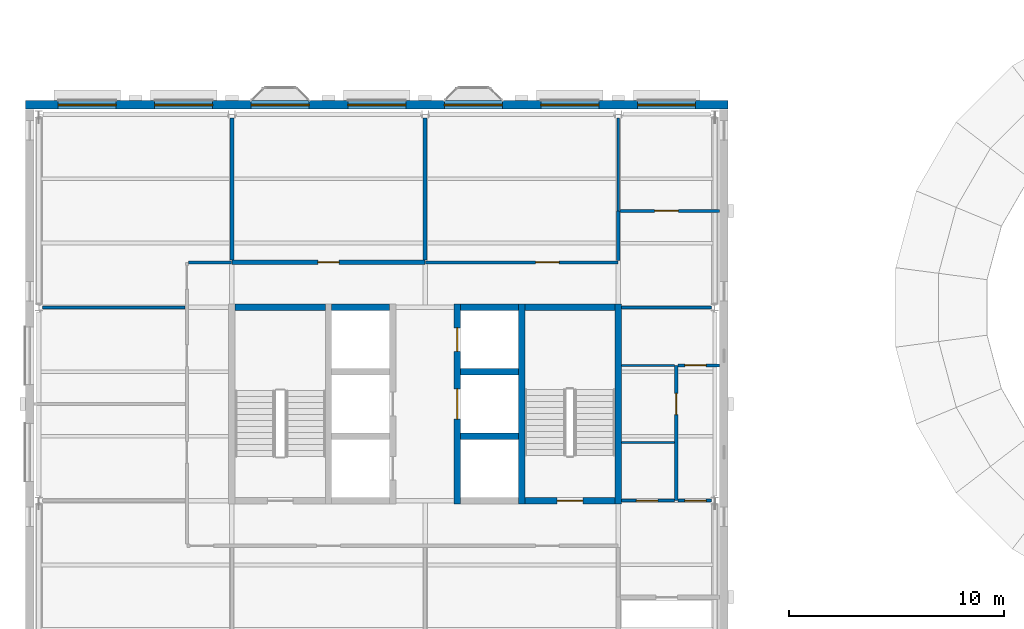
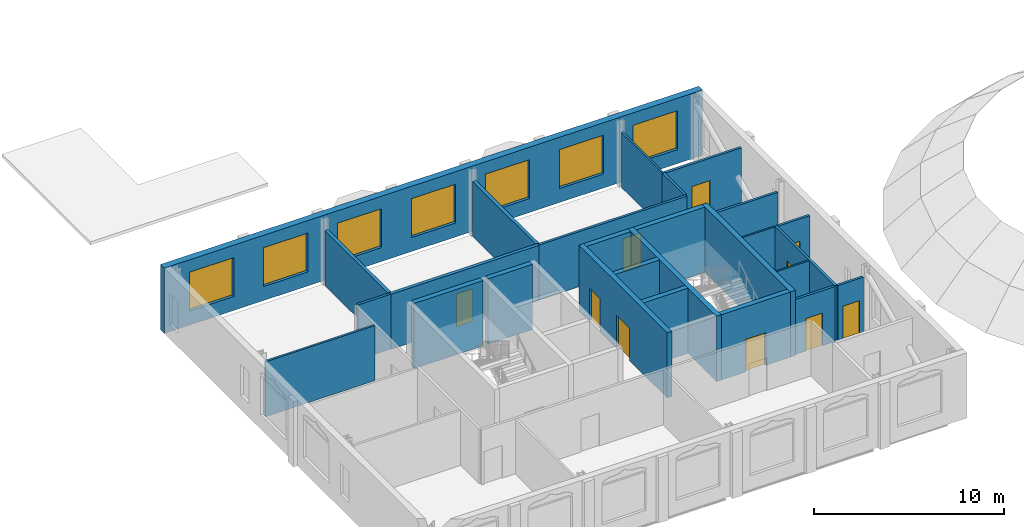
# One storey, part 9 of 15: 27 walls, 10 doors, 7 windows, 17 openings.
"""IFC4 building model written with IfcOpenShell, lengths in metres."""

from ifc_helpers import new_model, si_unit, direction, frame, frame_2d, origin, place, context, subcontext, project, spatial, rectangle, extrude, material, layer, layer_set, type_object, element, fill, save


model = new_model("IFC4")

# Units and contexts
model_context = context("Model", 3, precision=1e-05, world=origin(), true_north=direction((0.0, 1.0)))
body_context = subcontext(model_context, "Body", "Model", "MODEL_VIEW")
ifc_project = project(units=[si_unit("LENGTHUNIT", "METRE"), si_unit("AREAUNIT", "SQUARE_METRE"), si_unit("VOLUMEUNIT", "CUBIC_METRE"), si_unit("PLANEANGLEUNIT", "RADIAN"), si_unit("MASSUNIT", "GRAM", prefix="KILO")], contexts=[model_context])

# Site, building, storey
site_placement = place(None, origin())
site = spatial("IfcSite", under=ifc_project, at=site_placement, CompositionType="ELEMENT")
building_placement = place(site_placement, origin())
building = spatial("IfcBuilding", under=site, at=building_placement, Name="Hortulan Conservatory and Botanical Research Centre", CompositionType="ELEMENT")
storey_placement = place(building_placement, frame((0.0, 0.0, 23.39990234375)))
storey = spatial("IfcBuildingStorey", under=building, at=storey_placement, Name="L05", CompositionType="ELEMENT", Elevation=23.39990234375)

# Walls
ifc_material_1 = material(Name="Fire-rated plasterboard on steel studs", Category="steel")
ifc_layer_1 = layer(ifc_material_1, 0.199951171875)
ifc_layer_set_1 = layer_set([ifc_layer_1], Name="Compartment Partition 200")
wall_type_1 = type_object("IfcWallType", Name="Compartment Partition 200", PredefinedType="PARTITIONING", material=ifc_layer_set_1)
for number, where, z_axis, x_axis, name in (
    (1, (9.0, 20.2099609375, 0.0), (0.0, 0.0, 1.0), (0.0, 1.0, 0.0), "Store wall"),
    (2, (18.0, 20.2099609375, 0.0), (0.0, 0.0, 1.0), (0.0, 1.0, 0.0), "Store wall"),
):
    element("IfcWall", number, at=place(storey_placement, frame(where, z_axis=z_axis, x_axis=x_axis)), inside=storey, type_object=wall_type_1, Name=name, PredefinedType="PARTITIONING", context=body_context, shape_type="SweptSolid", body=[
        extrude(rectangle(XDim=6.616455078125, YDim=0.199951171875, at=frame_2d((3.30810546875, 0.0))), origin(), (0.0, 0.0, 1.0), 3.537109375),
    ])

# Wall, opening, door
wall_1_placement = place(storey_placement, frame((9.0, 20.10009765625, 0.0), z_axis=(0.0, 0.0, 1.0), x_axis=(1.0, 0.0, 0.0)))
wall_1 = element("IfcWall", 3, at=wall_1_placement, inside=storey, type_object=wall_type_1, Name="Store wall", PredefinedType="PARTITIONING", context=body_context, shape_type="SweptSolid", body=[
    extrude(rectangle(XDim=9.0, YDim=0.199951171875, at=frame_2d((4.5, 0.0))), origin(), (0.0, 0.0, 1.0), 3.537109375),
])
opening_1_placement = place(wall_1_placement, frame((4.0, 0.0, 0.0)))
opening_1 = element("IfcOpeningElement", 4, at=opening_1_placement, cuts=wall_1, Name="Opening DT6", PredefinedType="OPENING", context=body_context, shape_type="SweptSolid", body=[
    extrude(rectangle(XDim=1.0, YDim=2.10009765625, at=frame_2d((0.5, 1.050048828125))), frame((0.0, 0.10986328125, 0.0), z_axis=(0.0, -1.0, 0.0), x_axis=(1.0, 0.0, 0.0)), (0.0, 0.0, 1.0), 0.219970703125),
])
ifc_material_2 = material(Name="Steel door leaf, insulated", Category="steel")
door_type_1 = type_object("IfcDoorType", Name="Fire Door 1000x2100 FRL -/120/30", OperationType="NOTDEFINED", PredefinedType="DOOR", material=ifc_material_2)
door_1_placement = place(opening_1_placement, origin())
door_1 = element("IfcDoor", 5, at=door_1_placement, inside=storey, type_object=door_type_1, Name="Door DT6 Cryopreservation Laboratory", OperationType="SINGLE_SWING_LEFT", OverallHeight=2.10009765625, OverallWidth=1.0, PredefinedType="DOOR", context=body_context, shape_type="SweptSolid", body=[
    extrude(rectangle(XDim=1.0, YDim=2.10009765625, at=frame_2d((0.5, 1.050048828125))), frame((0.0, 0.02490234375, 0.0), z_axis=(0.0, -1.0, 0.0), x_axis=(1.0, 0.0, 0.0)), (0.0, 0.0, 1.0), 0.050048828125),
])
fill(opening_1, door_1)

# Wall, openings, doors
ifc_material_3 = material(Name="Concrete N50 (50 MPa, AS 3600)", Category="concrete")
ifc_layer_2 = layer(ifc_material_3, 0.300048828125)
ifc_layer_set_2 = layer_set([ifc_layer_2], Name="Core Wall 300 N50 FRL 240/120/120")
wall_type_2 = type_object("IfcWallType", Name="Core Wall 300 N50 FRL 240/120/120", PredefinedType="SHEAR", material=ifc_layer_set_2)
wall_2_placement = place(storey_placement, frame((19.5, 8.85009765625, 0.0), z_axis=(0.0, 0.0, 1.0), x_axis=(0.0, 1.0, 0.0)))
wall_2 = element("IfcWall", 6, at=wall_2_placement, inside=storey, type_object=wall_type_2, Name="Reinforced concrete shaft wall", PredefinedType="SHEAR", context=body_context, shape_type="SweptSolid", body=[
    extrude(rectangle(XDim=9.2998046875, YDim=0.300048828125, at=frame_2d((4.64990234375, 0.0))), origin(), (0.0, 0.0, 1.0), 4.2001953125),
])
opening_2_placement = place(wall_2_placement, frame((3.949951171875, 0.0, 0.0)))
opening_2 = element("IfcOpeningElement", 7, at=opening_2_placement, cuts=wall_2, Name="Opening LD2", PredefinedType="OPENING", context=body_context, shape_type="SweptSolid", body=[
    extrude(rectangle(XDim=1.39990234375, YDim=2.10009765625, at=frame_2d((0.699951171875, 1.050048828125))), frame((0.0, 0.159912109375, 0.0), z_axis=(0.0, -1.0, 0.0), x_axis=(1.0, 0.0, 0.0)), (0.0, 0.0, 1.0), 0.320068359375),
])
opening_3_placement = place(wall_2_placement, frame((7.10009765625, 0.0, 0.0)))
opening_3 = element("IfcOpeningElement", 8, at=opening_3_placement, cuts=wall_2, Name="Opening LD1", PredefinedType="OPENING", context=body_context, shape_type="SweptSolid", body=[
    extrude(rectangle(XDim=1.10009765625, YDim=2.10009765625, at=frame_2d((0.550048828125, 1.050048828125))), frame((0.0, 0.159912109375, 0.0), z_axis=(0.0, -1.0, 0.0), x_axis=(1.0, 0.0, 0.0)), (0.0, 0.0, 1.0), 0.320068359375),
])
ifc_material_4 = material(Name="Stainless steel door leaves in steel frame", Category="steel")
door_type_2 = type_object("IfcDoorType", Name="Lift Landing Door 1100x2100", OperationType="DOUBLE_DOOR_SLIDING", PredefinedType="DOOR", material=ifc_material_4)
door_2_placement = place(opening_3_placement, origin())
door_2 = element("IfcDoor", 9, at=door_2_placement, inside=storey, type_object=door_type_2, Name="Lift LF1 landing door L05", OperationType="DOUBLE_DOOR_SLIDING", OverallHeight=2.10009765625, OverallWidth=1.10009765625, PredefinedType="DOOR", context=body_context, shape_type="SweptSolid", body=[
    extrude(rectangle(XDim=1.10009765625, YDim=2.10009765625, at=frame_2d((0.550048828125, 1.050048828125))), frame((0.0, 0.02490234375, 0.0), z_axis=(0.0, -1.0, 0.0), x_axis=(1.0, 0.0, 0.0)), (0.0, 0.0, 1.0), 0.050048828125),
])
fill(opening_3, door_2)
door_type_3 = type_object("IfcDoorType", Name="Lift Landing Door 1400x2100", OperationType="DOUBLE_DOOR_SLIDING", PredefinedType="DOOR", material=ifc_material_4)
door_3_placement = place(opening_2_placement, origin())
door_3 = element("IfcDoor", 10, at=door_3_placement, inside=storey, type_object=door_type_3, Name="Lift LG1 landing door L05", OperationType="DOUBLE_DOOR_SLIDING", OverallHeight=2.10009765625, OverallWidth=1.39990234375, PredefinedType="DOOR", context=body_context, shape_type="SweptSolid", body=[
    extrude(rectangle(XDim=1.39990234375, YDim=2.10009765625, at=frame_2d((0.699951171875, 1.050048828125))), frame((0.0, 0.02490234375, 0.0), z_axis=(0.0, -1.0, 0.0), x_axis=(1.0, 0.0, 0.0)), (0.0, 0.0, 1.0), 0.050048828125),
])
fill(opening_2, door_3)

# Walls
for number, where, z_axis, x_axis, name in (
    (11, (22.5, 8.85009765625, 0.0), (0.0, 0.0, 1.0), (0.0, 1.0, 0.0), "Reinforced concrete shaft wall"),
    (12, (27.0, 8.85009765625, 0.0), (0.0, 0.0, 1.0), (0.0, 1.0, 0.0), "Reinforced concrete shaft wall"),
):
    element("IfcWall", number, at=place(storey_placement, frame(where, z_axis=z_axis, x_axis=x_axis)), inside=storey, type_object=wall_type_2, Name=name, PredefinedType="SHEAR", context=body_context, shape_type="SweptSolid", body=[
        extrude(rectangle(XDim=9.2998046875, YDim=0.300048828125, at=frame_2d((4.64990234375, 0.0))), origin(), (0.0, 0.0, 1.0), 4.2001953125),
    ])

# Wall, opening, door
wall_3_placement = place(storey_placement, frame((22.64990234375, 9.0, 0.0), z_axis=(0.0, 0.0, 1.0), x_axis=(1.0, 0.0, 0.0)))
wall_3 = element("IfcWall", 13, at=wall_3_placement, inside=storey, type_object=wall_type_2, Name="Reinforced concrete shaft wall", PredefinedType="SHEAR", context=body_context, shape_type="SweptSolid", body=[
    extrude(rectangle(XDim=4.2001953125, YDim=0.300048828125, at=frame_2d((2.10009765625, 0.0))), origin(), (0.0, 0.0, 1.0), 4.2001953125),
])
opening_4_placement = place(wall_3_placement, frame((1.5, 0.0, 0.0)))
opening_4 = element("IfcOpeningElement", 14, at=opening_4_placement, cuts=wall_3, Name="Opening DT5", PredefinedType="OPENING", context=body_context, shape_type="SweptSolid", body=[
    extrude(rectangle(XDim=1.199951171875, YDim=2.10009765625, at=frame_2d((0.60009765625, 1.050048828125))), frame((0.0, 0.159912109375, 0.0), z_axis=(0.0, -1.0, 0.0), x_axis=(1.0, 0.0, 0.0)), (0.0, 0.0, 1.0), 0.320068359375),
])
door_type_4 = type_object("IfcDoorType", Name="Stair Door 1200x2100 FRL -/120/30", OperationType="NOTDEFINED", PredefinedType="DOOR", material=ifc_material_2)
door_4_placement = place(opening_4_placement, origin())
door_4 = element("IfcDoor", 15, at=door_4_placement, inside=storey, type_object=door_type_4, Name="Door DT5 Exit Stair T2", OperationType="SINGLE_SWING_LEFT", OverallHeight=2.10009765625, OverallWidth=1.199951171875, PredefinedType="DOOR", context=body_context, shape_type="SweptSolid", body=[
    extrude(rectangle(XDim=1.199951171875, YDim=2.10009765625, at=frame_2d((0.60009765625, 1.050048828125))), frame((0.0, 0.02490234375, 0.0), z_axis=(0.0, -1.0, 0.0), x_axis=(1.0, 0.0, 0.0)), (0.0, 0.0, 1.0), 0.050048828125),
])
fill(opening_4, door_4)

# Walls
for number, where, z_axis, x_axis, name in (
    (16, (19.64990234375, 12.0, 0.0), (0.0, 0.0, 1.0), (1.0, 0.0, 0.0), "Reinforced concrete shaft wall"),
    (17, (19.64990234375, 15.0, 0.0), (0.0, 0.0, 1.0), (1.0, 0.0, 0.0), "Reinforced concrete shaft wall"),
):
    element("IfcWall", number, at=place(storey_placement, frame(where, z_axis=z_axis, x_axis=x_axis)), inside=storey, type_object=wall_type_2, Name=name, PredefinedType="SHEAR", context=body_context, shape_type="SweptSolid", body=[
        extrude(rectangle(XDim=2.7001953125, YDim=0.300048828125, at=frame_2d((1.35009765625, 0.0))), origin(), (0.0, 0.0, 1.0), 4.2001953125),
    ])
wall_4_placement = place(storey_placement, frame((9.14990234375, 18.0, 0.0), z_axis=(0.0, 0.0, 1.0), x_axis=(1.0, 0.0, 0.0)))
element("IfcWall", 18, at=wall_4_placement, inside=storey, type_object=wall_type_2, Name="Reinforced concrete shaft wall", PredefinedType="SHEAR", context=body_context, shape_type="SweptSolid", body=[
    extrude(rectangle(XDim=4.2001953125, YDim=0.300048828125, at=frame_2d((2.10009765625, 0.0))), origin(), (0.0, 0.0, 1.0), 4.2001953125),
])
for number, where, z_axis, x_axis, name in (
    (19, (13.64990234375, 18.0, 0.0), (0.0, 0.0, 1.0), (1.0, 0.0, 0.0), "Reinforced concrete shaft wall"),
    (20, (19.64990234375, 18.0, 0.0), (0.0, 0.0, 1.0), (1.0, 0.0, 0.0), "Reinforced concrete shaft wall"),
):
    element("IfcWall", number, at=place(storey_placement, frame(where, z_axis=z_axis, x_axis=x_axis)), inside=storey, type_object=wall_type_2, Name=name, PredefinedType="SHEAR", context=body_context, shape_type="SweptSolid", body=[
        extrude(rectangle(XDim=2.7001953125, YDim=0.300048828125, at=frame_2d((1.35009765625, 0.0))), origin(), (0.0, 0.0, 1.0), 4.2001953125),
    ])
wall_5_placement = place(storey_placement, frame((22.64990234375, 18.0, 0.0), z_axis=(0.0, 0.0, 1.0), x_axis=(1.0, 0.0, 0.0)))
element("IfcWall", 21, at=wall_5_placement, inside=storey, type_object=wall_type_2, Name="Reinforced concrete shaft wall", PredefinedType="SHEAR", context=body_context, shape_type="SweptSolid", body=[
    extrude(rectangle(XDim=4.2001953125, YDim=0.300048828125, at=frame_2d((2.10009765625, 0.0))), origin(), (0.0, 0.0, 1.0), 4.2001953125),
])
ifc_material_5 = material(Name="Plasterboard on steel studs", Category="steel")
ifc_layer_3 = layer(ifc_material_5, 0.14990234375)
ifc_layer_set_3 = layer_set([ifc_layer_3], Name="Corridor Partition 150")
wall_type_3 = type_object("IfcWallType", Name="Corridor Partition 150", PredefinedType="PARTITIONING", material=ifc_layer_set_3)
wall_6_placement = place(storey_placement, frame((27.0, 20.18505859375, 0.0), z_axis=(0.0, 0.0, 1.0), x_axis=(0.0, 1.0, 0.0)))
element("IfcWall", 22, at=wall_6_placement, inside=storey, type_object=wall_type_3, Name="Corridor partition", PredefinedType="PARTITIONING", context=body_context, shape_type="SweptSolid", body=[
    extrude(rectangle(XDim=2.304931640625, YDim=0.14990234375, at=frame_2d((1.15234375, 0.0))), origin(), (0.0, 0.0, 1.0), 3.537109375),
])

# Wall, opening, door
wall_7_placement = place(storey_placement, frame((27.159912109375, 9.0, 0.0), z_axis=(0.0, 0.0, 1.0), x_axis=(1.0, 0.0, 0.0)))
wall_7 = element("IfcWall", 23, at=wall_7_placement, inside=storey, type_object=wall_type_3, Name="Corridor partition", PredefinedType="PARTITIONING", context=body_context, shape_type="SweptSolid", body=[
    extrude(rectangle(XDim=2.455078125, YDim=0.14990234375, at=frame_2d((1.2275390625, 0.0))), origin(), (0.0, 0.0, 1.0), 3.537109375),
])
opening_5_placement = place(wall_7_placement, frame((0.68994140625, 0.0, 0.0)))
opening_5 = element("IfcOpeningElement", 24, at=opening_5_placement, cuts=wall_7, Name="Opening DT1", PredefinedType="OPENING", context=body_context, shape_type="SweptSolid", body=[
    extrude(rectangle(XDim=1.0, YDim=2.10009765625, at=frame_2d((0.5, 1.050048828125))), frame((0.0, 0.0849609375, 0.0), z_axis=(0.0, -1.0, 0.0), x_axis=(1.0, 0.0, 0.0)), (0.0, 0.0, 1.0), 0.169921875),
])
ifc_material_6 = material(Name="Timber door leaf in timber frame", Category="wood")
door_type_5 = type_object("IfcDoorType", Name="Single Door 1000x2100", OperationType="NOTDEFINED", PredefinedType="DOOR", material=ifc_material_6)
door_5_placement = place(opening_5_placement, origin())
door_5 = element("IfcDoor", 25, at=door_5_placement, inside=storey, type_object=door_type_5, Name="Door DT1 Accessible WC", OperationType="SINGLE_SWING_RIGHT", OverallHeight=2.10009765625, OverallWidth=1.0, PredefinedType="DOOR", context=body_context, shape_type="SweptSolid", body=[
    extrude(rectangle(XDim=1.0, YDim=2.10009765625, at=frame_2d((0.5, 1.050048828125))), frame((0.0, 0.02490234375, 0.0), z_axis=(0.0, -1.0, 0.0), x_axis=(1.0, 0.0, 0.0)), (0.0, 0.0, 1.0), 0.050048828125),
])
fill(opening_5, door_5)

# Walls
wall_8_placement = place(storey_placement, frame((27.159912109375, 18.0, 0.0), z_axis=(0.0, 0.0, 1.0), x_axis=(1.0, 0.0, 0.0)))
element("IfcWall", 26, at=wall_8_placement, inside=storey, type_object=wall_type_3, Name="Corridor partition", PredefinedType="PARTITIONING", context=body_context, shape_type="SweptSolid", body=[
    extrude(rectangle(XDim=4.174560546875, YDim=0.14990234375, at=frame_2d((2.08740234375, 0.0))), origin(), (0.0, 0.0, 1.0), 3.537109375),
])
wall_9_placement = place(storey_placement, frame((6.985107421875, 20.10009765625, 0.0), z_axis=(0.0, 0.0, 1.0), x_axis=(1.0, 0.0, 0.0)))
element("IfcWall", 27, at=wall_9_placement, inside=storey, type_object=wall_type_3, Name="Corridor partition", PredefinedType="PARTITIONING", context=body_context, shape_type="SweptSolid", body=[
    extrude(rectangle(XDim=2.0048828125, YDim=0.14990234375, at=frame_2d((1.00244140625, 0.0))), origin(), (0.0, 0.0, 1.0), 3.537109375),
])

# Wall, opening, door
wall_10_placement = place(storey_placement, frame((18.010009765625, 20.10009765625, 0.0), z_axis=(0.0, 0.0, 1.0), x_axis=(1.0, 0.0, 0.0)))
wall_10 = element("IfcWall", 28, at=wall_10_placement, inside=storey, type_object=wall_type_3, Name="Corridor partition", PredefinedType="PARTITIONING", context=body_context, shape_type="SweptSolid", body=[
    extrude(rectangle(XDim=8.989990234375, YDim=0.14990234375, at=frame_2d((4.4951171875, 0.0))), origin(), (0.0, 0.0, 1.0), 3.537109375),
])
opening_6_placement = place(wall_10_placement, frame((5.139892578125, 0.0, 0.0)))
opening_6 = element("IfcOpeningElement", 29, at=opening_6_placement, cuts=wall_10, Name="Opening DT3", PredefinedType="OPENING", context=body_context, shape_type="SweptSolid", body=[
    extrude(rectangle(XDim=1.10009765625, YDim=2.10009765625, at=frame_2d((0.550048828125, 1.050048828125))), frame((0.0, 0.0849609375, 0.0), z_axis=(0.0, -1.0, 0.0), x_axis=(1.0, 0.0, 0.0)), (0.0, 0.0, 1.0), 0.169921875),
])
ifc_material_7 = material(Name="Timber door leaf with vision panel", Category="wood")
door_type_6 = type_object("IfcDoorType", Name="Laboratory Door 1100x2100", OperationType="NOTDEFINED", PredefinedType="DOOR", material=ifc_material_7)
door_6_placement = place(opening_6_placement, origin())
door_6 = element("IfcDoor", 30, at=door_6_placement, inside=storey, type_object=door_type_6, Name="Door DT3 Specimen Preparation Laboratory", OperationType="SINGLE_SWING_RIGHT", OverallHeight=2.10009765625, OverallWidth=1.10009765625, PredefinedType="DOOR", context=body_context, shape_type="SweptSolid", body=[
    extrude(rectangle(XDim=1.10009765625, YDim=2.10009765625, at=frame_2d((0.550048828125, 1.050048828125))), frame((0.0, 0.02490234375, 0.0), z_axis=(0.0, -1.0, 0.0), x_axis=(1.0, 0.0, 0.0)), (0.0, 0.0, 1.0), 0.050048828125),
])
fill(opening_6, door_6)

wall_11_placement = place(storey_placement, frame((27.072509765625, 22.5, 0.0), z_axis=(0.0, 0.0, 1.0), x_axis=(1.0, 0.0, 0.0)))
wall_11 = element("IfcWall", 31, at=wall_11_placement, inside=storey, type_object=wall_type_3, Name="Corridor partition", PredefinedType="PARTITIONING", context=body_context, shape_type="SweptSolid", body=[
    extrude(rectangle(XDim=4.642578125, YDim=0.14990234375, at=frame_2d((2.3212890625, 0.0))), origin(), (0.0, 0.0, 1.0), 3.537109375),
])
opening_7_placement = place(wall_11_placement, frame((1.62744140625, 0.0, 0.0)))
opening_7 = element("IfcOpeningElement", 32, at=opening_7_placement, cuts=wall_11, Name="Opening DT3", PredefinedType="OPENING", context=body_context, shape_type="SweptSolid", body=[
    extrude(rectangle(XDim=1.10009765625, YDim=2.10009765625, at=frame_2d((0.550048828125, 1.050048828125))), frame((0.0, 0.0849609375, 0.0), z_axis=(0.0, -1.0, 0.0), x_axis=(1.0, 0.0, 0.0)), (0.0, 0.0, 1.0), 0.169921875),
])
door_7_placement = place(opening_7_placement, origin())
door_7 = element("IfcDoor", 33, at=door_7_placement, inside=storey, type_object=door_type_6, Name="Door DT3 Laboratory Write-up Office", OperationType="SINGLE_SWING_LEFT", OverallHeight=2.10009765625, OverallWidth=1.10009765625, PredefinedType="DOOR", context=body_context, shape_type="SweptSolid", body=[
    extrude(rectangle(XDim=1.10009765625, YDim=2.10009765625, at=frame_2d((0.550048828125, 1.050048828125))), frame((0.0, 0.02490234375, 0.0), z_axis=(0.0, -1.0, 0.0), x_axis=(1.0, 0.0, 0.0)), (0.0, 0.0, 1.0), 0.050048828125),
])
fill(opening_7, door_7)

# Wall, openings, windows
ifc_material_8 = material(Name="Faience-faced brickwork masonry", Category="masonry")
ifc_layer_4 = layer(ifc_material_8, 0.39990234375)
ifc_layer_set_4 = layer_set([ifc_layer_4], Name="Faience-faced Masonry Cavity Wall 400")
wall_type_4 = type_object("IfcWallType", Name="Faience-faced Masonry Cavity Wall 400", PredefinedType="STANDARD", material=ifc_layer_set_4)
wall_12_placement = place(storey_placement, frame((-0.625, 27.43603515625, 0.0), z_axis=(0.0, 0.0, 1.0), x_axis=(1.0, 0.0, 0.0)))
wall_12 = element("IfcWall", 34, at=wall_12_placement, inside=storey, type_object=wall_type_4, Name="E-EW-TW-L05-N3", PredefinedType="STANDARD", context=body_context, shape_type="SweptSolid", body=[
    extrude(rectangle(XDim=32.75, YDim=0.39990234375, at=frame_2d((16.375, 0.0))), origin(), (0.0, 0.0, 1.0), 4.2001953125),
])
opening_8_placement = place(wall_12_placement, frame((1.52490234375, 0.0, 0.89990234375)))
opening_8 = element("IfcOpeningElement", 35, at=opening_8_placement, cuts=wall_12, Name="Opening W4", PredefinedType="OPENING", context=body_context, shape_type="SweptSolid", body=[
    extrude(rectangle(XDim=2.699951171875, YDim=2.5, at=frame_2d((1.35009765625, 1.25))), frame((0.0, 0.2099609375, 0.0), z_axis=(0.0, -1.0, 0.0), x_axis=(1.0, 0.0, 0.0)), (0.0, 0.0, 1.0), 0.419921875),
])
opening_9_placement = place(wall_12_placement, frame((6.02490234375, 0.0, 0.89990234375)))
opening_9 = element("IfcOpeningElement", 36, at=opening_9_placement, cuts=wall_12, Name="Opening W4", PredefinedType="OPENING", context=body_context, shape_type="SweptSolid", body=[
    extrude(rectangle(XDim=2.699951171875, YDim=2.5, at=frame_2d((1.35009765625, 1.25))), frame((0.0, 0.2099609375, 0.0), z_axis=(0.0, -1.0, 0.0), x_axis=(1.0, 0.0, 0.0)), (0.0, 0.0, 1.0), 0.419921875),
])
opening_10_placement = place(wall_12_placement, frame((10.52490234375, 0.0, 0.89990234375)))
opening_10 = element("IfcOpeningElement", 37, at=opening_10_placement, cuts=wall_12, Name="Opening W4", PredefinedType="OPENING", context=body_context, shape_type="SweptSolid", body=[
    extrude(rectangle(XDim=2.699951171875, YDim=2.5, at=frame_2d((1.35009765625, 1.25))), frame((0.0, 0.2099609375, 0.0), z_axis=(0.0, -1.0, 0.0), x_axis=(1.0, 0.0, 0.0)), (0.0, 0.0, 1.0), 0.419921875),
])
opening_11_placement = place(wall_12_placement, frame((15.02490234375, 0.0, 0.89990234375)))
opening_11 = element("IfcOpeningElement", 38, at=opening_11_placement, cuts=wall_12, Name="Opening W4", PredefinedType="OPENING", context=body_context, shape_type="SweptSolid", body=[
    extrude(rectangle(XDim=2.699951171875, YDim=2.5, at=frame_2d((1.35009765625, 1.25))), frame((0.0, 0.2099609375, 0.0), z_axis=(0.0, -1.0, 0.0), x_axis=(1.0, 0.0, 0.0)), (0.0, 0.0, 1.0), 0.419921875),
])
opening_12_placement = place(wall_12_placement, frame((19.52490234375, 0.0, 0.89990234375)))
opening_12 = element("IfcOpeningElement", 39, at=opening_12_placement, cuts=wall_12, Name="Opening W4", PredefinedType="OPENING", context=body_context, shape_type="SweptSolid", body=[
    extrude(rectangle(XDim=2.699951171875, YDim=2.5, at=frame_2d((1.35009765625, 1.25))), frame((0.0, 0.2099609375, 0.0), z_axis=(0.0, -1.0, 0.0), x_axis=(1.0, 0.0, 0.0)), (0.0, 0.0, 1.0), 0.419921875),
])
opening_13_placement = place(wall_12_placement, frame((24.02490234375, 0.0, 0.89990234375)))
opening_13 = element("IfcOpeningElement", 40, at=opening_13_placement, cuts=wall_12, Name="Opening W4", PredefinedType="OPENING", context=body_context, shape_type="SweptSolid", body=[
    extrude(rectangle(XDim=2.699951171875, YDim=2.5, at=frame_2d((1.35009765625, 1.25))), frame((0.0, 0.2099609375, 0.0), z_axis=(0.0, -1.0, 0.0), x_axis=(1.0, 0.0, 0.0)), (0.0, 0.0, 1.0), 0.419921875),
])
opening_14_placement = place(wall_12_placement, frame((28.52490234375, 0.0, 0.89990234375)))
opening_14 = element("IfcOpeningElement", 41, at=opening_14_placement, cuts=wall_12, Name="Opening W4", PredefinedType="OPENING", context=body_context, shape_type="SweptSolid", body=[
    extrude(rectangle(XDim=2.699951171875, YDim=2.5, at=frame_2d((1.35009765625, 1.25))), frame((0.0, 0.2099609375, 0.0), z_axis=(0.0, -1.0, 0.0), x_axis=(1.0, 0.0, 0.0)), (0.0, 0.0, 1.0), 0.419921875),
])
ifc_material_9 = material(Name="Bronze-finished aluminium frame with low-e laminated double glazing", Category="aluminium")
window_type = type_object("IfcWindowType", Name="Faience Window 2700x2500", PartitioningType="SINGLE_PANEL", PredefinedType="WINDOW", material=ifc_material_9)
window_1_placement = place(opening_8_placement, origin())
window_1 = element("IfcWindow", 42, at=window_1_placement, inside=storey, type_object=window_type, Name="Faience window", OverallHeight=2.5, OverallWidth=2.699951171875, PartitioningType="SINGLE_PANEL", PredefinedType="WINDOW", context=body_context, shape_type="SweptSolid", body=[
    extrude(rectangle(XDim=2.699951171875, YDim=2.5, at=frame_2d((1.35009765625, 1.25))), frame((0.0, 0.030029296875, 0.0), z_axis=(0.0, -1.0, 0.0), x_axis=(1.0, 0.0, 0.0)), (0.0, 0.0, 1.0), 0.06005859375),
])
fill(opening_8, window_1)
window_2_placement = place(opening_9_placement, origin())
window_2 = element("IfcWindow", 43, at=window_2_placement, inside=storey, type_object=window_type, Name="Faience window", OverallHeight=2.5, OverallWidth=2.699951171875, PartitioningType="SINGLE_PANEL", PredefinedType="WINDOW", context=body_context, shape_type="SweptSolid", body=[
    extrude(rectangle(XDim=2.699951171875, YDim=2.5, at=frame_2d((1.35009765625, 1.25))), frame((0.0, 0.030029296875, 0.0), z_axis=(0.0, -1.0, 0.0), x_axis=(1.0, 0.0, 0.0)), (0.0, 0.0, 1.0), 0.06005859375),
])
fill(opening_9, window_2)
window_3_placement = place(opening_10_placement, origin())
window_3 = element("IfcWindow", 44, at=window_3_placement, inside=storey, type_object=window_type, Name="Faience window", OverallHeight=2.5, OverallWidth=2.699951171875, PartitioningType="SINGLE_PANEL", PredefinedType="WINDOW", context=body_context, shape_type="SweptSolid", body=[
    extrude(rectangle(XDim=2.699951171875, YDim=2.5, at=frame_2d((1.35009765625, 1.25))), frame((0.0, 0.030029296875, 0.0), z_axis=(0.0, -1.0, 0.0), x_axis=(1.0, 0.0, 0.0)), (0.0, 0.0, 1.0), 0.06005859375),
])
fill(opening_10, window_3)
window_4_placement = place(opening_11_placement, origin())
window_4 = element("IfcWindow", 45, at=window_4_placement, inside=storey, type_object=window_type, Name="Faience window", OverallHeight=2.5, OverallWidth=2.699951171875, PartitioningType="SINGLE_PANEL", PredefinedType="WINDOW", context=body_context, shape_type="SweptSolid", body=[
    extrude(rectangle(XDim=2.699951171875, YDim=2.5, at=frame_2d((1.35009765625, 1.25))), frame((0.0, 0.030029296875, 0.0), z_axis=(0.0, -1.0, 0.0), x_axis=(1.0, 0.0, 0.0)), (0.0, 0.0, 1.0), 0.06005859375),
])
fill(opening_11, window_4)
window_5_placement = place(opening_12_placement, origin())
window_5 = element("IfcWindow", 46, at=window_5_placement, inside=storey, type_object=window_type, Name="Faience window", OverallHeight=2.5, OverallWidth=2.699951171875, PartitioningType="SINGLE_PANEL", PredefinedType="WINDOW", context=body_context, shape_type="SweptSolid", body=[
    extrude(rectangle(XDim=2.699951171875, YDim=2.5, at=frame_2d((1.35009765625, 1.25))), frame((0.0, 0.030029296875, 0.0), z_axis=(0.0, -1.0, 0.0), x_axis=(1.0, 0.0, 0.0)), (0.0, 0.0, 1.0), 0.06005859375),
])
fill(opening_12, window_5)
window_6_placement = place(opening_13_placement, origin())
window_6 = element("IfcWindow", 47, at=window_6_placement, inside=storey, type_object=window_type, Name="Faience window", OverallHeight=2.5, OverallWidth=2.699951171875, PartitioningType="SINGLE_PANEL", PredefinedType="WINDOW", context=body_context, shape_type="SweptSolid", body=[
    extrude(rectangle(XDim=2.699951171875, YDim=2.5, at=frame_2d((1.35009765625, 1.25))), frame((0.0, 0.030029296875, 0.0), z_axis=(0.0, -1.0, 0.0), x_axis=(1.0, 0.0, 0.0)), (0.0, 0.0, 1.0), 0.06005859375),
])
fill(opening_13, window_6)
window_7_placement = place(opening_14_placement, origin())
window_7 = element("IfcWindow", 48, at=window_7_placement, inside=storey, type_object=window_type, Name="Faience window", OverallHeight=2.5, OverallWidth=2.699951171875, PartitioningType="SINGLE_PANEL", PredefinedType="WINDOW", context=body_context, shape_type="SweptSolid", body=[
    extrude(rectangle(XDim=2.699951171875, YDim=2.5, at=frame_2d((1.35009765625, 1.25))), frame((0.0, 0.030029296875, 0.0), z_axis=(0.0, -1.0, 0.0), x_axis=(1.0, 0.0, 0.0)), (0.0, 0.0, 1.0), 0.06005859375),
])
fill(opening_14, window_7)

# Wall, opening, door
ifc_layer_5 = layer(ifc_material_1, 0.14990234375)
ifc_layer_set_5 = layer_set([ifc_layer_5], Name="Lobby Partition 150")
wall_type_5 = type_object("IfcWallType", Name="Lobby Partition 150", PredefinedType="PARTITIONING", material=ifc_layer_set_5)
wall_13_placement = place(storey_placement, frame((29.699951171875, 9.0, 0.0), z_axis=(0.0, 0.0, 1.0), x_axis=(0.0, 1.0, 0.0)))
wall_13 = element("IfcWall", 49, at=wall_13_placement, inside=storey, type_object=wall_type_5, Name="Lobby partition", PredefinedType="PARTITIONING", context=body_context, shape_type="SweptSolid", body=[
    extrude(rectangle(XDim=6.300048828125, YDim=0.14990234375, at=frame_2d((3.14990234375, 0.0))), origin(), (0.0, 0.0, 1.0), 3.537109375),
])
opening_15_placement = place(wall_13_placement, frame((4.0, 0.0, 0.0)))
opening_15 = element("IfcOpeningElement", 50, at=opening_15_placement, cuts=wall_13, Name="Opening DT4", PredefinedType="OPENING", context=body_context, shape_type="SweptSolid", body=[
    extrude(rectangle(XDim=1.0, YDim=2.10009765625, at=frame_2d((0.5, 1.050048828125))), frame((0.0, 0.0849609375, 0.0), z_axis=(0.0, -1.0, 0.0), x_axis=(1.0, 0.0, 0.0)), (0.0, 0.0, 1.0), 0.169921875),
])
door_type_7 = type_object("IfcDoorType", Name="Fire Door 1000x2100 FRL -/60/30", OperationType="NOTDEFINED", PredefinedType="DOOR", material=ifc_material_2)
door_8_placement = place(opening_15_placement, origin())
door_8 = element("IfcDoor", 51, at=door_8_placement, inside=storey, type_object=door_type_7, Name="Door DT4 Women's WC", OperationType="SINGLE_SWING_LEFT", OverallHeight=2.10009765625, OverallWidth=1.0, PredefinedType="DOOR", context=body_context, shape_type="SweptSolid", body=[
    extrude(rectangle(XDim=1.0, YDim=2.10009765625, at=frame_2d((0.5, 1.050048828125))), frame((0.0, 0.02490234375, 0.0), z_axis=(0.0, -1.0, 0.0), x_axis=(1.0, 0.0, 0.0)), (0.0, 0.0, 1.0), 0.050048828125),
])
fill(opening_15, door_8)

wall_14_placement = place(storey_placement, frame((29.784912109375, 9.0, 0.0), z_axis=(0.0, 0.0, 1.0), x_axis=(1.0, 0.0, 0.0)))
wall_14 = element("IfcWall", 52, at=wall_14_placement, inside=storey, type_object=wall_type_5, Name="Lobby partition", PredefinedType="PARTITIONING", context=body_context, shape_type="SweptSolid", body=[
    extrude(rectangle(XDim=1.549560546875, YDim=0.14990234375, at=frame_2d((0.77490234375, 0.0))), origin(), (0.0, 0.0, 1.0), 3.537109375),
])
opening_16_placement = place(wall_14_placement, frame((0.31494140625, 0.0, 0.0)))
opening_16 = element("IfcOpeningElement", 53, at=opening_16_placement, cuts=wall_14, Name="Opening DT4", PredefinedType="OPENING", context=body_context, shape_type="SweptSolid", body=[
    extrude(rectangle(XDim=1.0, YDim=2.10009765625, at=frame_2d((0.5, 1.050048828125))), frame((0.0, 0.0849609375, 0.0), z_axis=(0.0, -1.0, 0.0), x_axis=(1.0, 0.0, 0.0)), (0.0, 0.0, 1.0), 0.169921875),
])
door_9_placement = place(opening_16_placement, origin())
door_9 = element("IfcDoor", 54, at=door_9_placement, inside=storey, type_object=door_type_7, Name="Door DT4 WC Lobby", OperationType="SINGLE_SWING_LEFT", OverallHeight=2.10009765625, OverallWidth=1.0, PredefinedType="DOOR", context=body_context, shape_type="SweptSolid", body=[
    extrude(rectangle(XDim=1.0, YDim=2.10009765625, at=frame_2d((0.5, 1.050048828125))), frame((0.0, 0.02490234375, 0.0), z_axis=(0.0, -1.0, 0.0), x_axis=(1.0, 0.0, 0.0)), (0.0, 0.0, 1.0), 0.050048828125),
])
fill(opening_16, door_9)

wall_15_placement = place(storey_placement, frame((29.784912109375, 15.300048828125, 0.0), z_axis=(0.0, 0.0, 1.0), x_axis=(1.0, 0.0, 0.0)))
wall_15 = element("IfcWall", 55, at=wall_15_placement, inside=storey, type_object=wall_type_5, Name="Lobby partition", PredefinedType="PARTITIONING", context=body_context, shape_type="SweptSolid", body=[
    extrude(rectangle(XDim=1.93017578125, YDim=0.14990234375, at=frame_2d((0.965087890625, 0.0))), origin(), (0.0, 0.0, 1.0), 3.537109375),
])
opening_17_placement = place(wall_15_placement, frame((0.31494140625, 0.0, 0.0)))
opening_17 = element("IfcOpeningElement", 56, at=opening_17_placement, cuts=wall_15, Name="Opening DT4", PredefinedType="OPENING", context=body_context, shape_type="SweptSolid", body=[
    extrude(rectangle(XDim=1.0, YDim=2.10009765625, at=frame_2d((0.5, 1.050048828125))), frame((0.0, 0.0849609375, 0.0), z_axis=(0.0, -1.0, 0.0), x_axis=(1.0, 0.0, 0.0)), (0.0, 0.0, 1.0), 0.169921875),
])
door_10_placement = place(opening_17_placement, origin())
door_10 = element("IfcDoor", 57, at=door_10_placement, inside=storey, type_object=door_type_7, Name="Door DT4 Men's WC", OperationType="SINGLE_SWING_RIGHT", OverallHeight=2.10009765625, OverallWidth=1.0, PredefinedType="DOOR", context=body_context, shape_type="SweptSolid", body=[
    extrude(rectangle(XDim=1.0, YDim=2.10009765625, at=frame_2d((0.5, 1.050048828125))), frame((0.0, 0.02490234375, 0.0), z_axis=(0.0, -1.0, 0.0), x_axis=(1.0, 0.0, 0.0)), (0.0, 0.0, 1.0), 0.050048828125),
])
fill(opening_17, door_10)

# Walls
ifc_layer_6 = layer(ifc_material_5, 0.125)
ifc_layer_set_6 = layer_set([ifc_layer_6], Name="Partition 125")
wall_type_6 = type_object("IfcWallType", Name="Partition 125", PredefinedType="PARTITIONING", material=ifc_layer_set_6)
wall_16_placement = place(storey_placement, frame((27.0, 22.5, 0.0), z_axis=(0.0, 0.0, 1.0), x_axis=(0.0, 1.0, 0.0)))
element("IfcWall", 58, at=wall_16_placement, inside=storey, type_object=wall_type_6, Name="Partition", PredefinedType="PARTITIONING", context=body_context, shape_type="SweptSolid", body=[
    extrude(rectangle(XDim=4.326416015625, YDim=0.125, at=frame_2d((2.1630859375, 0.0))), origin(), (0.0, 0.0, 1.0), 3.537109375),
])
wall_17_placement = place(storey_placement, frame((0.16552734375, 18.0, 0.0), z_axis=(0.0, 0.0, 1.0), x_axis=(1.0, 0.0, 0.0)))
element("IfcWall", 59, at=wall_17_placement, inside=storey, type_object=wall_type_6, Name="Partition", PredefinedType="PARTITIONING", context=body_context, shape_type="SweptSolid", body=[
    extrude(rectangle(XDim=6.6494140625, YDim=0.125, at=frame_2d((3.32470703125, 0.0))), origin(), (0.0, 0.0, 1.0), 3.537109375),
])
ifc_material_10 = material(Name="Moisture-resistant plasterboard on steel studs", Category="steel")
ifc_layer_7 = layer(ifc_material_10, 0.10009765625)
ifc_layer_set_7 = layer_set([ifc_layer_7], Name="Wet Area Partition 100")
wall_type_7 = type_object("IfcWallType", Name="Wet Area Partition 100", PredefinedType="PARTITIONING", material=ifc_layer_set_7)
for number, where, z_axis, x_axis, name in (
    (60, (27.159912109375, 11.699951171875, 0.0), (0.0, 0.0, 1.0), (1.0, 0.0, 0.0), "Toilet partition"),
    (61, (27.159912109375, 15.300048828125, 0.0), (0.0, 0.0, 1.0), (1.0, 0.0, 0.0), "Toilet partition"),
):
    element("IfcWall", number, at=place(storey_placement, frame(where, z_axis=z_axis, x_axis=x_axis)), inside=storey, type_object=wall_type_7, Name=name, PredefinedType="PARTITIONING", context=body_context, shape_type="SweptSolid", body=[
        extrude(rectangle(XDim=2.455078125, YDim=0.10009765625, at=frame_2d((1.2275390625, 0.0))), origin(), (0.0, 0.0, 1.0), 3.537109375),
    ])

save(model, "model.ifc")
